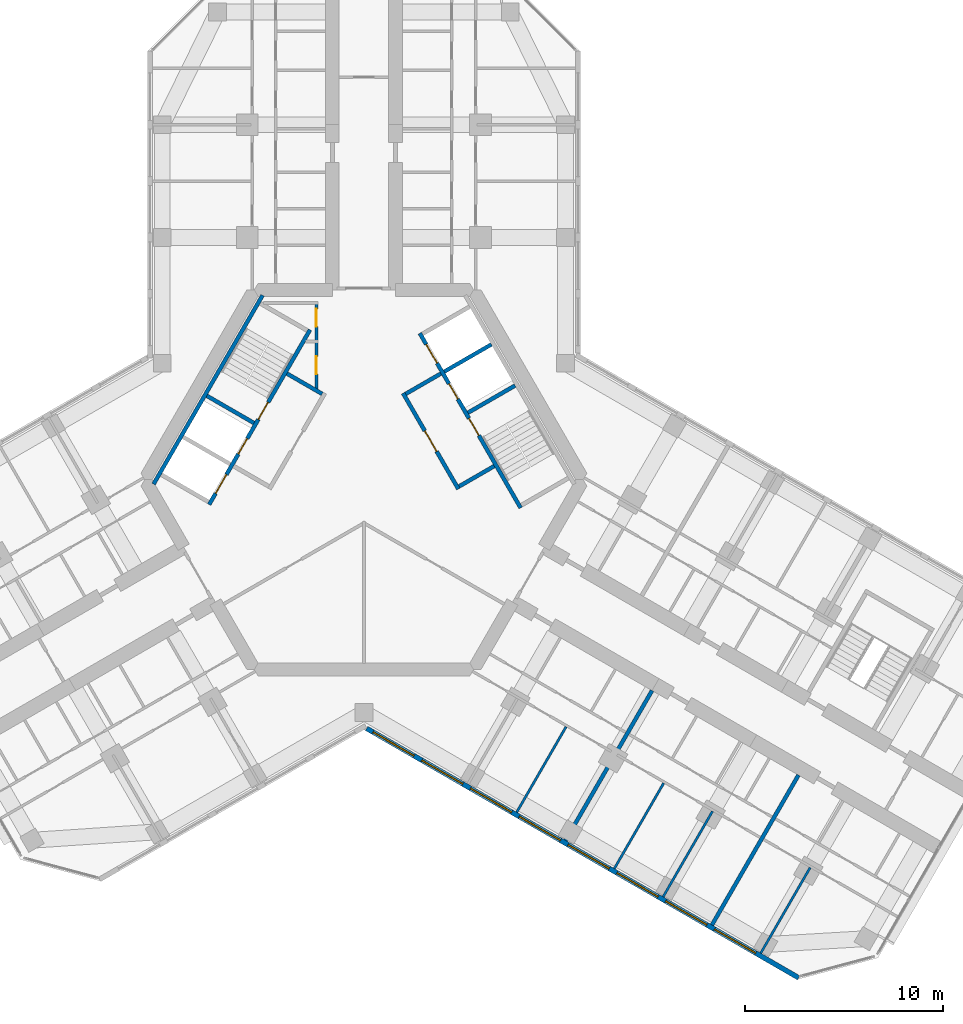
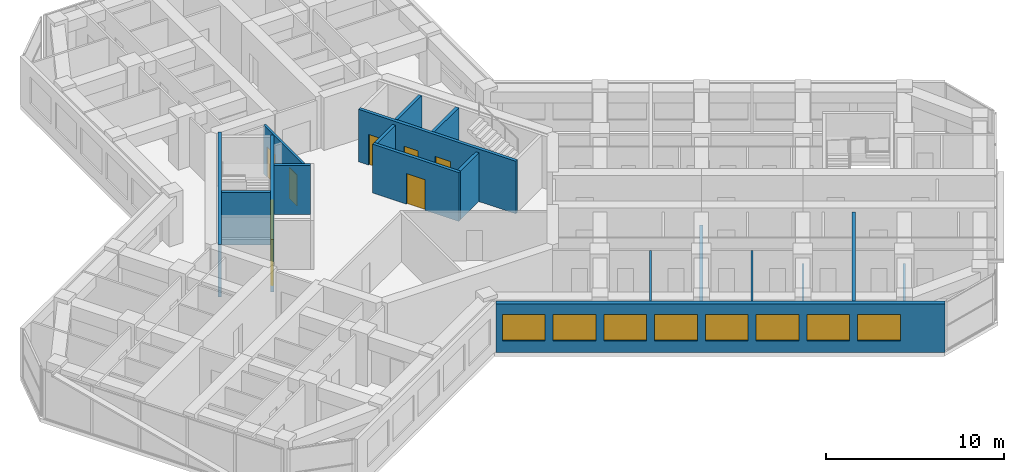
# One storey, part 10 of 16: 18 walls, 9 doors, 8 windows, 17 openings.
"""IFC4 building model written with IfcOpenShell, lengths in metres."""

from ifc_helpers import new_model, si_unit, direction, frame, frame_2d, origin, place, context, subcontext, project, spatial, rectangle, extrude, material, layer, layer_set, type_object, element, fill, save


model = new_model("IFC4")

# Units and contexts
model_context = context("Model", 3, precision=1e-05, world=origin(), true_north=direction((0.0, 1.0)))
body_context = subcontext(model_context, "Body", "Model", "MODEL_VIEW")
ifc_project = project(units=[si_unit("LENGTHUNIT", "METRE"), si_unit("AREAUNIT", "SQUARE_METRE"), si_unit("VOLUMEUNIT", "CUBIC_METRE"), si_unit("PLANEANGLEUNIT", "RADIAN"), si_unit("MASSUNIT", "GRAM", prefix="KILO")], contexts=[model_context])

# Site, building, storey
site_placement = place(None, origin())
site = spatial("IfcSite", under=ifc_project, at=site_placement, CompositionType="ELEMENT")
building_placement = place(site_placement, origin())
building = spatial("IfcBuilding", under=site, at=building_placement, Name="Kosmar Iwan School Tower", CompositionType="ELEMENT")
storey_placement = place(building_placement, frame((0.0, 0.0, 204.60009765625)))
storey = spatial("IfcBuildingStorey", under=building, at=storey_placement, Name="L51", CompositionType="ELEMENT", Elevation=204.60009765625)

# Wall, openings, doors
ifc_material_1 = material(Name="Gypsum board on steel studs, fire-rated", Category="steel")
ifc_layer_1 = layer(ifc_material_1, 0.14990234375)
ifc_layer_set_1 = layer_set([ifc_layer_1], Name="Core room partition 150")
wall_type_1 = type_object("IfcWallType", Name="Core room partition 150", PredefinedType="PARTITIONING", material=ifc_layer_set_1)
wall_1_placement = place(storey_placement, frame((-2.39990234375, 9.014892578125, 0.0), z_axis=(0.0, 0.0, 1.0), x_axis=(0.0, -1.0, 0.0)))
wall_1 = element("IfcWall", 1, at=wall_1_placement, inside=storey, type_object=wall_type_1, Name="Core room partition L51-CW1", PredefinedType="PARTITIONING", context=body_context, shape_type="SweptSolid", body=[
    extrude(rectangle(XDim=4.484130859375, YDim=0.14990234375, at=frame_2d((2.2421875, 0.0))), origin(), (0.0, 0.0, 1.0), 3.349853515625),
])
opening_1_placement = place(wall_1_placement, frame((0.375, 0.0, 0.0)))
opening_1 = element("IfcOpeningElement", 2, at=opening_1_placement, cuts=wall_1, Name="Opening D14", PredefinedType="OPENING", context=body_context, shape_type="SweptSolid", body=[
    extrude(rectangle(XDim=0.89990234375, YDim=2.10009765625, at=frame_2d((0.449951171875, 1.050048828125))), frame((0.0, 0.0869140625, 0.0), z_axis=(0.0, -1.0, 0.0), x_axis=(1.0, 0.0, 0.0)), (0.0, 0.0, 1.0), 0.173828125),
])
opening_2_placement = place(wall_1_placement, frame((2.77490234375, 0.0, 0.0)))
opening_2 = element("IfcOpeningElement", 3, at=opening_2_placement, cuts=wall_1, Name="Opening D14", PredefinedType="OPENING", context=body_context, shape_type="SweptSolid", body=[
    extrude(rectangle(XDim=0.89990234375, YDim=2.10009765625, at=frame_2d((0.449951171875, 1.050048828125))), frame((0.0, 0.0869140625, 0.0), z_axis=(0.0, -1.0, 0.0), x_axis=(1.0, 0.0, 0.0)), (0.0, 0.0, 1.0), 0.173828125),
])
ifc_material_2 = material(Name="Timber fire door in steel frame", Category="steel")
door_type_1 = type_object("IfcDoorType", Name="Core room door 900x2100", OperationType="SINGLE_SWING_LEFT", PredefinedType="DOOR", material=ifc_material_2)
door_1_placement = place(opening_1_placement, origin())
door_1 = element("IfcDoor", 4, at=door_1_placement, inside=storey, type_object=door_type_1, Name="Electrical riser and switch room door L51 1", OperationType="SINGLE_SWING_LEFT", OverallHeight=2.10009765625, OverallWidth=0.89990234375, PredefinedType="DOOR", context=body_context, shape_type="SweptSolid", body=[
    extrude(rectangle(XDim=0.89990234375, YDim=2.10009765625, at=frame_2d((0.449951171875, 1.050048828125))), frame((0.0, 0.02490234375, 0.0), z_axis=(0.0, -1.0, 0.0), x_axis=(1.0, 0.0, 0.0)), (0.0, 0.0, 1.0), 0.050048828125),
])
fill(opening_1, door_1)
door_2_placement = place(opening_2_placement, origin())
door_2 = element("IfcDoor", 5, at=door_2_placement, inside=storey, type_object=door_type_1, Name="Plumbing and wet riser door L51 2", OperationType="SINGLE_SWING_RIGHT", OverallHeight=2.10009765625, OverallWidth=0.89990234375, PredefinedType="DOOR", context=body_context, shape_type="SweptSolid", body=[
    extrude(rectangle(XDim=0.89990234375, YDim=2.10009765625, at=frame_2d((0.449951171875, 1.050048828125))), frame((0.0, 0.02490234375, 0.0), z_axis=(0.0, -1.0, 0.0), x_axis=(1.0, 0.0, 0.0)), (0.0, 0.0, 1.0), 0.050048828125),
])
fill(opening_2, door_2)

# Walls
ifc_material_3 = material(Name="Gypsum board on steel studs", Category="steel")
ifc_layer_2 = layer(ifc_material_3, 0.1201171875)
ifc_layer_set_2 = layer_set([ifc_layer_2], Name="Dwelling partition 120")
wall_type_2 = type_object("IfcWallType", Name="Dwelling partition 120", PredefinedType="PARTITIONING", material=ifc_layer_set_2)
wall_2_placement = place(storey_placement, frame((10.221923828125, -12.4951171875, 0.0), z_axis=(0.0, 0.0, 1.0), x_axis=(-0.499996339024, -0.86602751744, 0.0)))
element("IfcWall", 6, at=wall_2_placement, inside=storey, type_object=wall_type_2, Name="Partition L51-CR1-X2", PredefinedType="PARTITIONING", context=body_context, shape_type="SweptSolid", body=[
    extrude(rectangle(XDim=4.98974609375, YDim=0.1201171875, at=frame_2d((2.494873046875, 0.0))), origin(), (0.0, 0.0, 1.0), 3.349853515625),
])
wall_3_placement = place(storey_placement, frame((15.158447265625, -15.344970703125, 0.0), z_axis=(0.0, 0.0, 1.0), x_axis=(-0.500011847778, -0.866018563358, 0.0)))
element("IfcWall", 7, at=wall_3_placement, inside=storey, type_object=wall_type_2, Name="Partition L51-CR2-X1", PredefinedType="PARTITIONING", context=body_context, shape_type="SweptSolid", body=[
    extrude(rectangle(XDim=4.990234375, YDim=0.1201171875, at=frame_2d((2.4951171875, 0.0))), origin(), (0.0, 0.0, 1.0), 3.349853515625),
])
wall_4_placement = place(storey_placement, frame((17.62646484375, -16.77001953125, 0.0), z_axis=(0.0, 0.0, 1.0), x_axis=(-0.499975153383, -0.86603974851, 0.0)))
element("IfcWall", 8, at=wall_4_placement, inside=storey, type_object=wall_type_2, Name="Partition L51-CR2-X2", PredefinedType="PARTITIONING", context=body_context, shape_type="SweptSolid", body=[
    extrude(rectangle(XDim=4.989990234375, YDim=0.1201171875, at=frame_2d((2.4951171875, 0.0))), origin(), (0.0, 0.0, 1.0), 2.449951171875),
])
wall_5_placement = place(storey_placement, frame((22.562744140625, -19.6201171875, 0.0), z_axis=(0.0, 0.0, 1.0), x_axis=(-0.499996339024, -0.86602751744, 0.0)))
element("IfcWall", 9, at=wall_5_placement, inside=storey, type_object=wall_type_2, Name="Partition L51-CR3-X1", PredefinedType="PARTITIONING", context=body_context, shape_type="SweptSolid", body=[
    extrude(rectangle(XDim=4.98974609375, YDim=0.1201171875, at=frame_2d((2.494873046875, 0.0))), origin(), (0.0, 0.0, 1.0), 2.449951171875),
])

# Wall, openings, windows
ifc_material_4 = material(Name="Black aluminium rainscreen on insulated framing", Category="aluminium")
ifc_layer_3 = layer(ifc_material_4, 0.25)
ifc_layer_set_3 = layer_set([ifc_layer_3], Name="External wall rainscreen 250")
wall_type_3 = type_object("IfcWallType", Name="External wall rainscreen 250", PredefinedType="SOLIDWALL", material=ifc_layer_set_3)
wall_6_placement = place(storey_placement, frame((0.137939453125, -12.5791015625, 0.0), z_axis=(0.0, 0.0, 1.0), x_axis=(0.866023775649, -0.500002820003, 0.0)))
wall_6 = element("IfcWall", 10, at=wall_6_placement, inside=storey, type_object=wall_type_3, Name="External wall CR L51", PredefinedType="SOLIDWALL", context=body_context, shape_type="SweptSolid", body=[
    extrude(rectangle(XDim=25.226318359375, YDim=0.25, at=frame_2d((12.61328125, 0.0))), origin(), (0.0, 0.0, 1.0), 3.349853515625),
])
opening_3_placement = place(wall_6_placement, frame((0.365966796875, 0.0, 0.800048828125)))
opening_3 = element("IfcOpeningElement", 11, at=opening_3_placement, cuts=wall_6, Name="Opening W5", PredefinedType="OPENING", context=body_context, shape_type="SweptSolid", body=[
    extrude(rectangle(XDim=2.39990234375, YDim=1.800048828125, at=frame_2d((1.199951171875, 0.89990234375))), frame((0.0, 0.136962890625, 0.0), z_axis=(0.0, -1.0, 0.0), x_axis=(1.0, 0.0, 0.0)), (0.0, 0.0, 1.0), 0.27392578125),
])
opening_4_placement = place(wall_6_placement, frame((3.216064453125, 0.0, 0.800048828125)))
opening_4 = element("IfcOpeningElement", 12, at=opening_4_placement, cuts=wall_6, Name="Opening W5", PredefinedType="OPENING", context=body_context, shape_type="SweptSolid", body=[
    extrude(rectangle(XDim=2.39990234375, YDim=1.800048828125, at=frame_2d((1.199951171875, 0.89990234375))), frame((0.0, 0.136962890625, 0.0), z_axis=(0.0, -1.0, 0.0), x_axis=(1.0, 0.0, 0.0)), (0.0, 0.0, 1.0), 0.27392578125),
])
opening_5_placement = place(wall_6_placement, frame((6.06591796875, 0.0, 0.800048828125)))
opening_5 = element("IfcOpeningElement", 13, at=opening_5_placement, cuts=wall_6, Name="Opening W5", PredefinedType="OPENING", context=body_context, shape_type="SweptSolid", body=[
    extrude(rectangle(XDim=2.39990234375, YDim=1.800048828125, at=frame_2d((1.199951171875, 0.89990234375))), frame((0.0, 0.136962890625, 0.0), z_axis=(0.0, -1.0, 0.0), x_axis=(1.0, 0.0, 0.0)), (0.0, 0.0, 1.0), 0.27392578125),
])
opening_6_placement = place(wall_6_placement, frame((8.916015625, 0.0, 0.800048828125)))
opening_6 = element("IfcOpeningElement", 14, at=opening_6_placement, cuts=wall_6, Name="Opening W5", PredefinedType="OPENING", context=body_context, shape_type="SweptSolid", body=[
    extrude(rectangle(XDim=2.39990234375, YDim=1.800048828125, at=frame_2d((1.199951171875, 0.89990234375))), frame((0.0, 0.136962890625, 0.0), z_axis=(0.0, -1.0, 0.0), x_axis=(1.0, 0.0, 0.0)), (0.0, 0.0, 1.0), 0.27392578125),
])
opening_7_placement = place(wall_6_placement, frame((11.76611328125, 0.0, 0.800048828125)))
opening_7 = element("IfcOpeningElement", 15, at=opening_7_placement, cuts=wall_6, Name="Opening W5", PredefinedType="OPENING", context=body_context, shape_type="SweptSolid", body=[
    extrude(rectangle(XDim=2.39990234375, YDim=1.800048828125, at=frame_2d((1.199951171875, 0.89990234375))), frame((0.0, 0.136962890625, 0.0), z_axis=(0.0, -1.0, 0.0), x_axis=(1.0, 0.0, 0.0)), (0.0, 0.0, 1.0), 0.27392578125),
])
opening_8_placement = place(wall_6_placement, frame((14.615966796875, 0.0, 0.800048828125)))
opening_8 = element("IfcOpeningElement", 16, at=opening_8_placement, cuts=wall_6, Name="Opening W5", PredefinedType="OPENING", context=body_context, shape_type="SweptSolid", body=[
    extrude(rectangle(XDim=2.39990234375, YDim=1.800048828125, at=frame_2d((1.199951171875, 0.89990234375))), frame((0.0, 0.136962890625, 0.0), z_axis=(0.0, -1.0, 0.0), x_axis=(1.0, 0.0, 0.0)), (0.0, 0.0, 1.0), 0.27392578125),
])
opening_9_placement = place(wall_6_placement, frame((17.466064453125, 0.0, 0.800048828125)))
opening_9 = element("IfcOpeningElement", 17, at=opening_9_placement, cuts=wall_6, Name="Opening W5", PredefinedType="OPENING", context=body_context, shape_type="SweptSolid", body=[
    extrude(rectangle(XDim=2.39990234375, YDim=1.800048828125, at=frame_2d((1.199951171875, 0.89990234375))), frame((0.0, 0.136962890625, 0.0), z_axis=(0.0, -1.0, 0.0), x_axis=(1.0, 0.0, 0.0)), (0.0, 0.0, 1.0), 0.27392578125),
])
opening_10_placement = place(wall_6_placement, frame((20.31591796875, 0.0, 0.800048828125)))
opening_10 = element("IfcOpeningElement", 18, at=opening_10_placement, cuts=wall_6, Name="Opening W5", PredefinedType="OPENING", context=body_context, shape_type="SweptSolid", body=[
    extrude(rectangle(XDim=2.39990234375, YDim=1.800048828125, at=frame_2d((1.199951171875, 0.89990234375))), frame((0.0, 0.136962890625, 0.0), z_axis=(0.0, -1.0, 0.0), x_axis=(1.0, 0.0, 0.0)), (0.0, 0.0, 1.0), 0.27392578125),
])
ifc_material_5 = material(Name="Black aluminium frame with dark triple glazing", Category="aluminium")
window_type = type_object("IfcWindowType", Name="Window 2400x1800", PartitioningType="SINGLE_PANEL", PredefinedType="WINDOW", material=ifc_material_5)
window_1_placement = place(opening_3_placement, origin())
window_1 = element("IfcWindow", 19, at=window_1_placement, inside=storey, type_object=window_type, Name="Window CR L51 -1", OverallHeight=1.800048828125, OverallWidth=2.39990234375, PartitioningType="SINGLE_PANEL", PredefinedType="WINDOW", context=body_context, shape_type="SweptSolid", body=[
    extrude(rectangle(XDim=2.39990234375, YDim=1.800048828125, at=frame_2d((1.199951171875, 0.89990234375))), frame((0.0, 0.030029296875, 0.0), z_axis=(0.0, -1.0, 0.0), x_axis=(1.0, 0.0, 0.0)), (0.0, 0.0, 1.0), 0.06005859375),
])
fill(opening_3, window_1)
window_2_placement = place(opening_4_placement, origin())
window_2 = element("IfcWindow", 20, at=window_2_placement, inside=storey, type_object=window_type, Name="Window CR L51 0", OverallHeight=1.800048828125, OverallWidth=2.39990234375, PartitioningType="SINGLE_PANEL", PredefinedType="WINDOW", context=body_context, shape_type="SweptSolid", body=[
    extrude(rectangle(XDim=2.39990234375, YDim=1.800048828125, at=frame_2d((1.199951171875, 0.89990234375))), frame((0.0, 0.030029296875, 0.0), z_axis=(0.0, -1.0, 0.0), x_axis=(1.0, 0.0, 0.0)), (0.0, 0.0, 1.0), 0.06005859375),
])
fill(opening_4, window_2)
window_3_placement = place(opening_5_placement, origin())
window_3 = element("IfcWindow", 21, at=window_3_placement, inside=storey, type_object=window_type, Name="Window CR L51 1", OverallHeight=1.800048828125, OverallWidth=2.39990234375, PartitioningType="SINGLE_PANEL", PredefinedType="WINDOW", context=body_context, shape_type="SweptSolid", body=[
    extrude(rectangle(XDim=2.39990234375, YDim=1.800048828125, at=frame_2d((1.199951171875, 0.89990234375))), frame((0.0, 0.030029296875, 0.0), z_axis=(0.0, -1.0, 0.0), x_axis=(1.0, 0.0, 0.0)), (0.0, 0.0, 1.0), 0.06005859375),
])
fill(opening_5, window_3)
window_4_placement = place(opening_6_placement, origin())
window_4 = element("IfcWindow", 22, at=window_4_placement, inside=storey, type_object=window_type, Name="Window CR L51 2", OverallHeight=1.800048828125, OverallWidth=2.39990234375, PartitioningType="SINGLE_PANEL", PredefinedType="WINDOW", context=body_context, shape_type="SweptSolid", body=[
    extrude(rectangle(XDim=2.39990234375, YDim=1.800048828125, at=frame_2d((1.199951171875, 0.89990234375))), frame((0.0, 0.030029296875, 0.0), z_axis=(0.0, -1.0, 0.0), x_axis=(1.0, 0.0, 0.0)), (0.0, 0.0, 1.0), 0.06005859375),
])
fill(opening_6, window_4)
window_5_placement = place(opening_7_placement, origin())
window_5 = element("IfcWindow", 23, at=window_5_placement, inside=storey, type_object=window_type, Name="Window CR L51 3", OverallHeight=1.800048828125, OverallWidth=2.39990234375, PartitioningType="SINGLE_PANEL", PredefinedType="WINDOW", context=body_context, shape_type="SweptSolid", body=[
    extrude(rectangle(XDim=2.39990234375, YDim=1.800048828125, at=frame_2d((1.199951171875, 0.89990234375))), frame((0.0, 0.030029296875, 0.0), z_axis=(0.0, -1.0, 0.0), x_axis=(1.0, 0.0, 0.0)), (0.0, 0.0, 1.0), 0.06005859375),
])
fill(opening_7, window_5)
window_6_placement = place(opening_8_placement, origin())
window_6 = element("IfcWindow", 24, at=window_6_placement, inside=storey, type_object=window_type, Name="Window CR L51 4", OverallHeight=1.800048828125, OverallWidth=2.39990234375, PartitioningType="SINGLE_PANEL", PredefinedType="WINDOW", context=body_context, shape_type="SweptSolid", body=[
    extrude(rectangle(XDim=2.39990234375, YDim=1.800048828125, at=frame_2d((1.199951171875, 0.89990234375))), frame((0.0, 0.030029296875, 0.0), z_axis=(0.0, -1.0, 0.0), x_axis=(1.0, 0.0, 0.0)), (0.0, 0.0, 1.0), 0.06005859375),
])
fill(opening_8, window_6)
window_7_placement = place(opening_9_placement, origin())
window_7 = element("IfcWindow", 25, at=window_7_placement, inside=storey, type_object=window_type, Name="Window CR L51 5", OverallHeight=1.800048828125, OverallWidth=2.39990234375, PartitioningType="SINGLE_PANEL", PredefinedType="WINDOW", context=body_context, shape_type="SweptSolid", body=[
    extrude(rectangle(XDim=2.39990234375, YDim=1.800048828125, at=frame_2d((1.199951171875, 0.89990234375))), frame((0.0, 0.030029296875, 0.0), z_axis=(0.0, -1.0, 0.0), x_axis=(1.0, 0.0, 0.0)), (0.0, 0.0, 1.0), 0.06005859375),
])
fill(opening_9, window_7)
window_8_placement = place(opening_10_placement, origin())
window_8 = element("IfcWindow", 26, at=window_8_placement, inside=storey, type_object=window_type, Name="Window CR L51 6", OverallHeight=1.800048828125, OverallWidth=2.39990234375, PartitioningType="SINGLE_PANEL", PredefinedType="WINDOW", context=body_context, shape_type="SweptSolid", body=[
    extrude(rectangle(XDim=2.39990234375, YDim=1.800048828125, at=frame_2d((1.199951171875, 0.89990234375))), frame((0.0, 0.030029296875, 0.0), z_axis=(0.0, -1.0, 0.0), x_axis=(1.0, 0.0, 0.0)), (0.0, 0.0, 1.0), 0.06005859375),
])
fill(opening_10, window_8)

# Wall
ifc_material_6 = material(Name="Concrete block masonry", Category="masonry")
ifc_layer_4 = layer(ifc_material_6, 0.199951171875)
ifc_layer_set_4 = layer_set([ifc_layer_4], Name="Fire lobby wall 200")
wall_type_4 = type_object("IfcWallType", Name="Fire lobby wall 200", PredefinedType="PARTITIONING", material=ifc_layer_set_4)
wall_7_placement = place(storey_placement, frame((-2.114013671875, 4.33837890625, 0.0), z_axis=(0.0, 0.0, 1.0), x_axis=(-0.866050731258, 0.499956128963, 0.0)))
element("IfcWall", 27, at=wall_7_placement, inside=storey, type_object=wall_type_4, Name="Firefighting lobby wall ST2", PredefinedType="PARTITIONING", context=body_context, shape_type="SweptSolid", body=[
    extrude(rectangle(XDim=2.050048828125, YDim=0.199951171875, at=frame_2d((1.02490234375, 0.0))), origin(), (0.0, 0.0, 1.0), 3.349853515625),
])

# Wall, opening, door
wall_8_placement = place(storey_placement, frame((4.777587890625, -0.474853515625, 0.0), z_axis=(0.0, 0.0, 1.0), x_axis=(-0.500016814911, 0.866015695474, 0.0)))
wall_8 = element("IfcWall", 28, at=wall_8_placement, inside=storey, type_object=wall_type_4, Name="Firefighting lobby wall ST1", PredefinedType="PARTITIONING", context=body_context, shape_type="SweptSolid", body=[
    extrude(rectangle(XDim=5.599853515625, YDim=0.199951171875, at=frame_2d((2.7998046875, 0.0))), origin(), (0.0, 0.0, 1.0), 3.349853515625),
])
opening_11_placement = place(wall_8_placement, frame((2.199951171875, 0.0, 0.0)))
opening_11 = element("IfcOpeningElement", 29, at=opening_11_placement, cuts=wall_8, Name="Opening D7", PredefinedType="OPENING", context=body_context, shape_type="SweptSolid", body=[
    extrude(rectangle(XDim=1.199951171875, YDim=2.10009765625, at=frame_2d((0.60009765625, 1.050048828125))), frame((0.0, 0.112060546875, 0.0), z_axis=(0.0, -1.0, 0.0), x_axis=(1.0, 0.0, 0.0)), (0.0, 0.0, 1.0), 0.223876953125),
])
ifc_material_7 = material(Name="Steel fire door", Category="steel")
door_type_2 = type_object("IfcDoorType", Name="Fire lobby door 1200x2100", OperationType="SINGLE_SWING_LEFT", PredefinedType="DOOR", material=ifc_material_7)
door_3_placement = place(opening_11_placement, origin())
door_3 = element("IfcDoor", 30, at=door_3_placement, inside=storey, type_object=door_type_2, Name="Firefighting lobby door ST1 L51", OperationType="SINGLE_SWING_RIGHT", OverallHeight=2.10009765625, OverallWidth=1.199951171875, PredefinedType="DOOR", context=body_context, shape_type="SweptSolid", body=[
    extrude(rectangle(XDim=1.199951171875, YDim=2.10009765625, at=frame_2d((0.60009765625, 1.050048828125))), frame((0.0, 0.02490234375, 0.0), z_axis=(0.0, -1.0, 0.0), x_axis=(1.0, 0.0, 0.0)), (0.0, 0.0, 1.0), 0.050048828125),
])
fill(opening_11, door_3)

# Walls
wall_9_placement = place(storey_placement, frame((4.814208984375, -0.33837890625, 0.0), z_axis=(0.0, 0.0, 1.0), x_axis=(0.865969381856, 0.500097020274, 0.0)))
element("IfcWall", 31, at=wall_9_placement, inside=storey, type_object=wall_type_4, Name="Firefighting lobby wall ST1", PredefinedType="PARTITIONING", context=body_context, shape_type="SweptSolid", body=[
    extrude(rectangle(XDim=2.0498046875, YDim=0.199951171875, at=frame_2d((1.02490234375, 0.0))), origin(), (0.0, 0.0, 1.0), 3.349853515625),
])
wall_10_placement = place(storey_placement, frame((2.114013671875, 4.33837890625, 0.0), z_axis=(0.0, 0.0, 1.0), x_axis=(0.866050731258, 0.499956128963, 0.0)))
element("IfcWall", 32, at=wall_10_placement, inside=storey, type_object=wall_type_4, Name="Firefighting lobby wall ST1", PredefinedType="PARTITIONING", context=body_context, shape_type="SweptSolid", body=[
    extrude(rectangle(XDim=2.050048828125, YDim=0.199951171875, at=frame_2d((1.02490234375, 0.0))), origin(), (0.0, 0.0, 1.0), 3.349853515625),
])

# Wall, openings, doors
ifc_material_8 = material(Name="Concrete C50/60", Category="concrete")
ifc_layer_5 = layer(ifc_material_8, 0.199951171875)
ifc_layer_set_5 = layer_set([ifc_layer_5], Name="Lift shaft wall 200")
wall_type_5 = type_object("IfcWallType", Name="Lift shaft wall 200", PredefinedType="SHEAR", material=ifc_layer_set_5)
wall_11_placement = place(storey_placement, frame((-2.72607421875, 7.578369140625, 0.0), z_axis=(0.0, 0.0, 1.0), x_axis=(-0.500005610874, -0.86602216432, 0.0)))
wall_11 = element("IfcWall", 33, at=wall_11_placement, inside=storey, type_object=wall_type_5, Name="Lift and stair front wall AB", PredefinedType="SHEAR", context=body_context, shape_type="SweptSolid", body=[
    extrude(rectangle(XDim=10.2001953125, YDim=0.199951171875, at=frame_2d((5.10009765625, 0.0))), origin(), (0.0, 0.0, 1.0), 3.599853515625),
])
opening_12_placement = place(wall_11_placement, frame((6.35009765625, 0.0, 0.0)))
opening_12 = element("IfcOpeningElement", 34, at=opening_12_placement, cuts=wall_11, Name="Opening LD2", PredefinedType="OPENING", context=body_context, shape_type="SweptSolid", body=[
    extrude(rectangle(XDim=0.89990234375, YDim=2.10009765625, at=frame_2d((0.449951171875, 1.050048828125))), frame((0.0, 0.112060546875, 0.0), z_axis=(0.0, -1.0, 0.0), x_axis=(1.0, 0.0, 0.0)), (0.0, 0.0, 1.0), 0.223876953125),
])
opening_13_placement = place(wall_11_placement, frame((8.449951171875, 0.0, 0.0)))
opening_13 = element("IfcOpeningElement", 35, at=opening_13_placement, cuts=wall_11, Name="Opening LD1", PredefinedType="OPENING", context=body_context, shape_type="SweptSolid", body=[
    extrude(rectangle(XDim=1.10009765625, YDim=2.10009765625, at=frame_2d((0.550048828125, 1.050048828125))), frame((0.0, 0.112060546875, 0.0), z_axis=(0.0, -1.0, 0.0), x_axis=(1.0, 0.0, 0.0)), (0.0, 0.0, 1.0), 0.223876953125),
])
opening_14_placement = place(wall_11_placement, frame((4.22998046875, 0.0, 0.0)))
opening_14 = element("IfcOpeningElement", 36, at=opening_14_placement, cuts=wall_11, Name="Opening D6", PredefinedType="OPENING", context=body_context, shape_type="SweptSolid", body=[
    extrude(rectangle(XDim=1.0, YDim=2.10009765625, at=frame_2d((0.5, 1.050048828125))), frame((0.0, 0.112060546875, 0.0), z_axis=(0.0, -1.0, 0.0), x_axis=(1.0, 0.0, 0.0)), (0.0, 0.0, 1.0), 0.223876953125),
])
ifc_material_9 = material(Name="Stainless steel sliding lift door", Category="steel")
door_type_3 = type_object("IfcDoorType", Name="Firefighting lift landing door 900x2100", OperationType="SLIDING_TO_LEFT", PredefinedType="DOOR", material=ifc_material_9)
door_4_placement = place(opening_12_placement, origin())
door_4 = element("IfcDoor", 37, at=door_4_placement, inside=storey, type_object=door_type_3, Name="Lift FF2 landing door L51", OperationType="SLIDING_TO_LEFT", OverallHeight=2.10009765625, OverallWidth=0.89990234375, PredefinedType="DOOR", context=body_context, shape_type="SweptSolid", body=[
    extrude(rectangle(XDim=0.89990234375, YDim=2.10009765625, at=frame_2d((0.449951171875, 1.050048828125))), frame((0.0, 0.02490234375, 0.0), z_axis=(0.0, -1.0, 0.0), x_axis=(1.0, 0.0, 0.0)), (0.0, 0.0, 1.0), 0.050048828125),
])
fill(opening_12, door_4)
ifc_material_10 = material(Name="Stainless steel sliding lift door", Category="steel")
door_type_4 = type_object("IfcDoorType", Name="Lift landing door 1100x2100", OperationType="SLIDING_TO_LEFT", PredefinedType="DOOR", material=ifc_material_10)
door_5_placement = place(opening_13_placement, origin())
door_5 = element("IfcDoor", 38, at=door_5_placement, inside=storey, type_object=door_type_4, Name="Lift PL6 landing door L51", OperationType="SLIDING_TO_LEFT", OverallHeight=2.10009765625, OverallWidth=1.10009765625, PredefinedType="DOOR", context=body_context, shape_type="SweptSolid", body=[
    extrude(rectangle(XDim=1.10009765625, YDim=2.10009765625, at=frame_2d((0.550048828125, 1.050048828125))), frame((0.0, 0.02490234375, 0.0), z_axis=(0.0, -1.0, 0.0), x_axis=(1.0, 0.0, 0.0)), (0.0, 0.0, 1.0), 0.050048828125),
])
fill(opening_13, door_5)
ifc_material_11 = material(Name="Steel fire door", Category="steel")
door_type_5 = type_object("IfcDoorType", Name="Stair door 1000x2100", OperationType="SINGLE_SWING_LEFT", PredefinedType="DOOR", material=ifc_material_11)
door_6_placement = place(opening_14_placement, origin())
door_6 = element("IfcDoor", 39, at=door_6_placement, inside=storey, type_object=door_type_5, Name="Stair ST2 door L51", OperationType="SINGLE_SWING_LEFT", OverallHeight=2.10009765625, OverallWidth=1.0, PredefinedType="DOOR", context=body_context, shape_type="SweptSolid", body=[
    extrude(rectangle(XDim=1.0, YDim=2.10009765625, at=frame_2d((0.5, 1.050048828125))), frame((0.0, 0.02490234375, 0.0), z_axis=(0.0, -1.0, 0.0), x_axis=(1.0, 0.0, 0.0)), (0.0, 0.0, 1.0), 0.050048828125),
])
fill(opening_14, door_6)

# Wall
wall_12_placement = place(storey_placement, frame((-5.1240234375, 9.324951171875, 0.0), z_axis=(0.0, 0.0, 1.0), x_axis=(-0.49999650507, -0.866027421574, 0.0)))
element("IfcWall", 40, at=wall_12_placement, inside=storey, type_object=wall_type_5, Name="Lift and stair back wall AB", PredefinedType="SHEAR", context=body_context, shape_type="SweptSolid", body=[
    extrude(rectangle(XDim=11.02734375, YDim=0.199951171875, at=frame_2d((5.513671875, 0.0))), origin(), (0.0, 0.0, 1.0), 3.599853515625),
])

# Wall, openings, doors
wall_13_placement = place(storey_placement, frame((7.926025390625, -1.42822265625, 0.0), z_axis=(0.0, 0.0, 1.0), x_axis=(-0.499998023675, 0.866026544813, 0.0)))
wall_13 = element("IfcWall", 41, at=wall_13_placement, inside=storey, type_object=wall_type_5, Name="Lift and stair front wall AC", PredefinedType="SHEAR", context=body_context, shape_type="SweptSolid", body=[
    extrude(rectangle(XDim=10.19970703125, YDim=0.199951171875, at=frame_2d((5.099853515625, 0.0))), origin(), (0.0, 0.0, 1.0), 3.599853515625),
])
opening_15_placement = place(wall_13_placement, frame((6.35009765625, 0.0, 0.0)))
opening_15 = element("IfcOpeningElement", 42, at=opening_15_placement, cuts=wall_13, Name="Opening LD2", PredefinedType="OPENING", context=body_context, shape_type="SweptSolid", body=[
    extrude(rectangle(XDim=0.89990234375, YDim=2.10009765625, at=frame_2d((0.449951171875, 1.050048828125))), frame((0.0, 0.112060546875, 0.0), z_axis=(0.0, -1.0, 0.0), x_axis=(1.0, 0.0, 0.0)), (0.0, 0.0, 1.0), 0.223876953125),
])
opening_16_placement = place(wall_13_placement, frame((8.449951171875, 0.0, 0.0)))
opening_16 = element("IfcOpeningElement", 43, at=opening_16_placement, cuts=wall_13, Name="Opening LD1", PredefinedType="OPENING", context=body_context, shape_type="SweptSolid", body=[
    extrude(rectangle(XDim=1.10009765625, YDim=2.10009765625, at=frame_2d((0.550048828125, 1.050048828125))), frame((0.0, 0.112060546875, 0.0), z_axis=(0.0, -1.0, 0.0), x_axis=(1.0, 0.0, 0.0)), (0.0, 0.0, 1.0), 0.223876953125),
])
opening_17_placement = place(wall_13_placement, frame((4.22998046875, 0.0, 0.0)))
opening_17 = element("IfcOpeningElement", 44, at=opening_17_placement, cuts=wall_13, Name="Opening D6", PredefinedType="OPENING", context=body_context, shape_type="SweptSolid", body=[
    extrude(rectangle(XDim=1.0, YDim=2.10009765625, at=frame_2d((0.5, 1.050048828125))), frame((0.0, 0.112060546875, 0.0), z_axis=(0.0, -1.0, 0.0), x_axis=(1.0, 0.0, 0.0)), (0.0, 0.0, 1.0), 0.223876953125),
])
door_7_placement = place(opening_15_placement, origin())
door_7 = element("IfcDoor", 45, at=door_7_placement, inside=storey, type_object=door_type_3, Name="Lift FF1 landing door L51", OperationType="SLIDING_TO_LEFT", OverallHeight=2.10009765625, OverallWidth=0.89990234375, PredefinedType="DOOR", context=body_context, shape_type="SweptSolid", body=[
    extrude(rectangle(XDim=0.89990234375, YDim=2.10009765625, at=frame_2d((0.449951171875, 1.050048828125))), frame((0.0, 0.02490234375, 0.0), z_axis=(0.0, -1.0, 0.0), x_axis=(1.0, 0.0, 0.0)), (0.0, 0.0, 1.0), 0.050048828125),
])
fill(opening_15, door_7)
door_8_placement = place(opening_16_placement, origin())
door_8 = element("IfcDoor", 46, at=door_8_placement, inside=storey, type_object=door_type_4, Name="Lift PL5 landing door L51", OperationType="SLIDING_TO_LEFT", OverallHeight=2.10009765625, OverallWidth=1.10009765625, PredefinedType="DOOR", context=body_context, shape_type="SweptSolid", body=[
    extrude(rectangle(XDim=1.10009765625, YDim=2.10009765625, at=frame_2d((0.550048828125, 1.050048828125))), frame((0.0, 0.02490234375, 0.0), z_axis=(0.0, -1.0, 0.0), x_axis=(1.0, 0.0, 0.0)), (0.0, 0.0, 1.0), 0.050048828125),
])
fill(opening_16, door_8)
door_9_placement = place(opening_17_placement, origin())
door_9 = element("IfcDoor", 47, at=door_9_placement, inside=storey, type_object=door_type_5, Name="Stair ST1 door L51", OperationType="SINGLE_SWING_LEFT", OverallHeight=2.10009765625, OverallWidth=1.0, PredefinedType="DOOR", context=body_context, shape_type="SweptSolid", body=[
    extrude(rectangle(XDim=1.0, YDim=2.10009765625, at=frame_2d((0.5, 1.050048828125))), frame((0.0, 0.02490234375, 0.0), z_axis=(0.0, -1.0, 0.0), x_axis=(1.0, 0.0, 0.0)), (0.0, 0.0, 1.0), 0.050048828125),
])
fill(opening_17, door_9)

# Walls
wall_14_placement = place(storey_placement, frame((4.062744140625, 5.46337890625, 0.0), z_axis=(0.0, 0.0, 1.0), x_axis=(0.866027397988, 0.499996545922, 0.0)))
element("IfcWall", 48, at=wall_14_placement, inside=storey, type_object=wall_type_5, Name="Lift shaft wall AC 1", PredefinedType="SHEAR", context=body_context, shape_type="SweptSolid", body=[
    extrude(rectangle(XDim=2.75, YDim=0.199951171875, at=frame_2d((1.375, 0.0))), origin(), (0.0, 0.0, 1.0), 3.599853515625),
])
ifc_material_12 = material(Name="Concrete block masonry", Category="masonry")
ifc_layer_6 = layer(ifc_material_12, 0.199951171875)
ifc_layer_set_6 = layer_set([ifc_layer_6], Name="Party wall 200")
wall_type_6 = type_object("IfcWallType", Name="Party wall 200", PredefinedType="PARTITIONING", material=ifc_layer_set_6)
wall_15_placement = place(storey_placement, frame((14.570068359375, -10.663818359375, 0.0), z_axis=(0.0, 0.0, 1.0), x_axis=(-0.500004234368, -0.866022959057, 0.0)))
element("IfcWall", 49, at=wall_15_placement, inside=storey, type_object=wall_type_6, Name="Partition L51-CR2-PW", PredefinedType="PARTITIONING", context=body_context, shape_type="SweptSolid", body=[
    extrude(rectangle(XDim=8.75, YDim=0.199951171875, at=frame_2d((4.375, 0.0))), origin(), (0.0, 0.0, 1.0), 2.449951171875),
])
wall_16_placement = place(storey_placement, frame((21.974609375, -14.938720703125, 0.0), z_axis=(0.0, 0.0, 1.0), x_axis=(-0.499992152613, -0.866029934428, 0.0)))
element("IfcWall", 50, at=wall_16_placement, inside=storey, type_object=wall_type_6, Name="Partition L51-CR3-PW", PredefinedType="PARTITIONING", context=body_context, shape_type="SweptSolid", body=[
    extrude(rectangle(XDim=8.750244140625, YDim=0.199951171875, at=frame_2d((4.375, 0.0))), origin(), (0.0, 0.0, 1.0), 3.349853515625),
])
ifc_material_13 = material(Name="Concrete C50/60", Category="concrete")
ifc_layer_7 = layer(ifc_material_13, 0.199951171875)
ifc_layer_set_7 = layer_set([ifc_layer_7], Name="Stair enclosure wall 200")
wall_type_7 = type_object("IfcWallType", Name="Stair enclosure wall 200", PredefinedType="SHEAR", material=ifc_layer_set_7)
for number, where, z_axis, x_axis, name in (
    (51, (-5.562744140625, 2.865234375, 0.0), (0.0, 0.0, 1.0), (-0.866027397988, 0.499996545922, 0.0), "Stair ST2 wall"),
    (52, (5.2626953125, 3.384765625, 0.0), (0.0, 0.0, 1.0), (0.866027397988, 0.499996545922, 0.0), "Stair ST1 wall"),
):
    element("IfcWall", number, at=place(storey_placement, frame(where, z_axis=z_axis, x_axis=x_axis)), inside=storey, type_object=wall_type_7, Name=name, PredefinedType="SHEAR", context=body_context, shape_type="SweptSolid", body=[
        extrude(rectangle(XDim=2.75, YDim=0.199951171875, at=frame_2d((1.375, 0.0))), origin(), (0.0, 0.0, 1.0), 3.599853515625),
    ])

save(model, "model.ifc")
